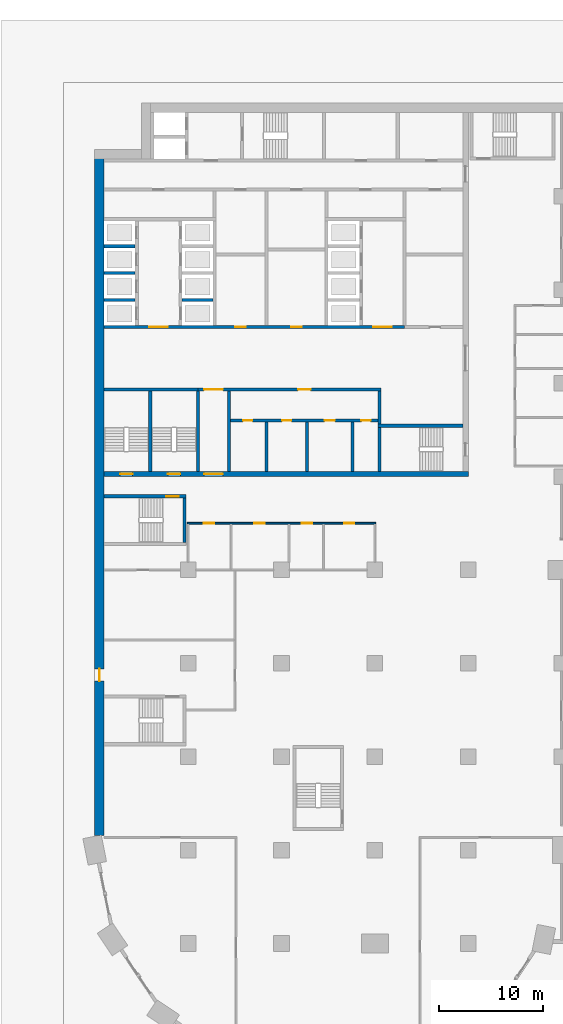
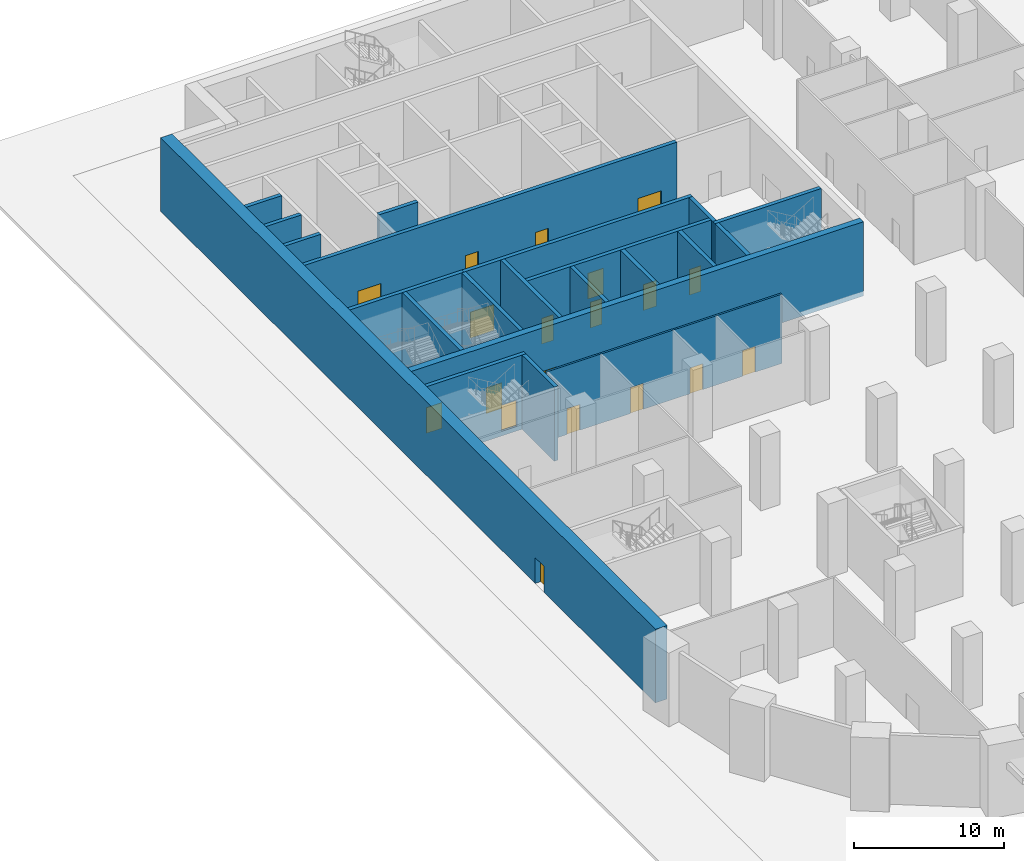
# One storey, part 18 of 47: 22 walls, 19 doors, 19 openings.
"""IFC4 building model written with IfcOpenShell, lengths in metres."""

from ifc_helpers import new_model, si_unit, direction, frame, frame_2d, origin, place, context, subcontext, project, spatial, rectangle, extrude, material, layer, layer_set, type_object, element, fill, save


model = new_model("IFC4")

# Units and contexts
model_context = context("Model", 3, precision=1e-05, world=origin(), true_north=direction((0.0, 1.0)))
body_context = subcontext(model_context, "Body", "Model", "MODEL_VIEW")
ifc_project = project(units=[si_unit("LENGTHUNIT", "METRE"), si_unit("AREAUNIT", "SQUARE_METRE"), si_unit("VOLUMEUNIT", "CUBIC_METRE"), si_unit("PLANEANGLEUNIT", "RADIAN"), si_unit("MASSUNIT", "GRAM", prefix="KILO")], contexts=[model_context])

# Site, building, storey
site_placement = place(None, origin())
site = spatial("IfcSite", under=ifc_project, at=site_placement, CompositionType="ELEMENT")
building_placement = place(site_placement, origin())
building = spatial("IfcBuilding", under=site, at=building_placement, Name="Hunhe Ridgeline Campus", CompositionType="ELEMENT")
storey_placement = place(building_placement, origin())
storey = spatial("IfcBuildingStorey", under=building, at=storey_placement, Name="L00", CompositionType="ELEMENT", Elevation=0.0)

# Wall, openings, doors
ifc_material_1 = material(Name="Plastered blockwork", Category="masonry")
ifc_layer_1 = layer(ifc_material_1, 0.14990234375)
ifc_layer_set_1 = layer_set([ifc_layer_1], Name="Blockwork partition 150")
wall_type_1 = type_object("IfcWallType", Name="Blockwork partition 150", PredefinedType="PARTITIONING", material=ifc_layer_set_1)
wall_1_placement = place(storey_placement, frame((8.925048828125, 58.5, 0.0), z_axis=(0.0, 0.0, 1.0), x_axis=(1.0, 0.0, 0.0)))
wall_1 = element("IfcWall", 1, at=wall_1_placement, inside=storey, type_object=wall_type_1, Name="L00 partition", PredefinedType="PARTITIONING", context=body_context, shape_type="SweptSolid", body=[
    extrude(rectangle(XDim=18.14990234375, YDim=0.14990234375, at=frame_2d((9.074951171875, 0.0))), origin(), (0.0, 0.0, 1.0), 5.64990234375),
])
opening_1_placement = place(wall_1_placement, frame((1.574951171875, 0.0, 0.0)))
opening_1 = element("IfcOpeningElement", 2, at=opening_1_placement, cuts=wall_1, Name="Opening PD149", PredefinedType="OPENING", context=body_context, shape_type="SweptSolid", body=[
    extrude(rectangle(XDim=1.0, YDim=2.10009765625, at=frame_2d((0.5, 1.050048828125))), frame((0.0, 0.074951171875, 0.0), z_axis=(0.0, -1.0, 0.0), x_axis=(1.0, 0.0, 0.0)), (0.0, 0.0, 1.0), 0.14990234375),
])
opening_2_placement = place(wall_1_placement, frame((6.462890625, 0.0, 0.0)))
opening_2 = element("IfcOpeningElement", 3, at=opening_2_placement, cuts=wall_1, Name="Opening PD150", PredefinedType="OPENING", context=body_context, shape_type="SweptSolid", body=[
    extrude(rectangle(XDim=1.0, YDim=2.10009765625, at=frame_2d((0.5, 1.050048828125))), frame((0.0, 0.074951171875, 0.0), z_axis=(0.0, -1.0, 0.0), x_axis=(1.0, 0.0, 0.0)), (0.0, 0.0, 1.0), 0.14990234375),
])
opening_3_placement = place(wall_1_placement, frame((11.049072265625, 0.0, 0.0)))
opening_3 = element("IfcOpeningElement", 4, at=opening_3_placement, cuts=wall_1, Name="Opening PD151", PredefinedType="OPENING", context=body_context, shape_type="SweptSolid", body=[
    extrude(rectangle(XDim=1.0, YDim=2.10009765625, at=frame_2d((0.5, 1.050048828125))), frame((0.0, 0.074951171875, 0.0), z_axis=(0.0, -1.0, 0.0), x_axis=(1.0, 0.0, 0.0)), (0.0, 0.0, 1.0), 0.14990234375),
])
opening_4_placement = place(wall_1_placement, frame((15.10888671875, 0.0, 0.0)))
opening_4 = element("IfcOpeningElement", 5, at=opening_4_placement, cuts=wall_1, Name="Opening PD152", PredefinedType="OPENING", context=body_context, shape_type="SweptSolid", body=[
    extrude(rectangle(XDim=1.0, YDim=2.10009765625, at=frame_2d((0.5, 1.050048828125))), frame((0.0, 0.074951171875, 0.0), z_axis=(0.0, -1.0, 0.0), x_axis=(1.0, 0.0, 0.0)), (0.0, 0.0, 1.0), 0.14990234375),
])
ifc_material_2 = material(Name="Timber", Category="wood")
door_type_1 = type_object("IfcDoorType", Name="Podium timber door 1000x2100", OperationType="NOTDEFINED", PredefinedType="DOOR", material=ifc_material_2)
door_1_placement = place(opening_1_placement, origin())
door_1 = element("IfcDoor", 6, at=door_1_placement, inside=storey, type_object=door_type_1, Name="Reception Office door", OperationType="SINGLE_SWING_LEFT", OverallHeight=2.10009765625, OverallWidth=1.0, PredefinedType="DOOR", context=body_context, shape_type="SweptSolid", body=[
    extrude(rectangle(XDim=1.0, YDim=2.10009765625, at=frame_2d((0.5, 1.050048828125))), frame((0.0, 0.02490234375, 0.0), z_axis=(0.0, -1.0, 0.0), x_axis=(1.0, 0.0, 0.0)), (0.0, 0.0, 1.0), 0.050048828125),
])
fill(opening_1, door_1)
door_2_placement = place(opening_2_placement, origin())
door_2 = element("IfcDoor", 7, at=door_2_placement, inside=storey, type_object=door_type_1, Name="Post and Mail Room door", OperationType="SINGLE_SWING_LEFT", OverallHeight=2.10009765625, OverallWidth=1.0, PredefinedType="DOOR", context=body_context, shape_type="SweptSolid", body=[
    extrude(rectangle(XDim=1.0, YDim=2.10009765625, at=frame_2d((0.5, 1.050048828125))), frame((0.0, 0.02490234375, 0.0), z_axis=(0.0, -1.0, 0.0), x_axis=(1.0, 0.0, 0.0)), (0.0, 0.0, 1.0), 0.050048828125),
])
fill(opening_2, door_2)
door_3_placement = place(opening_3_placement, origin())
door_3 = element("IfcDoor", 8, at=door_3_placement, inside=storey, type_object=door_type_1, Name="Information Desk Office door", OperationType="SINGLE_SWING_RIGHT", OverallHeight=2.10009765625, OverallWidth=1.0, PredefinedType="DOOR", context=body_context, shape_type="SweptSolid", body=[
    extrude(rectangle(XDim=1.0, YDim=2.10009765625, at=frame_2d((0.5, 1.050048828125))), frame((0.0, 0.02490234375, 0.0), z_axis=(0.0, -1.0, 0.0), x_axis=(1.0, 0.0, 0.0)), (0.0, 0.0, 1.0), 0.050048828125),
])
fill(opening_3, door_3)
door_4_placement = place(opening_4_placement, origin())
door_4 = element("IfcDoor", 9, at=door_4_placement, inside=storey, type_object=door_type_1, Name="Lost Property Store door", OperationType="SINGLE_SWING_RIGHT", OverallHeight=2.10009765625, OverallWidth=1.0, PredefinedType="DOOR", context=body_context, shape_type="SweptSolid", body=[
    extrude(rectangle(XDim=1.0, YDim=2.10009765625, at=frame_2d((0.5, 1.050048828125))), frame((0.0, 0.02490234375, 0.0), z_axis=(0.0, -1.0, 0.0), x_axis=(1.0, 0.0, 0.0)), (0.0, 0.0, 1.0), 0.050048828125),
])
fill(opening_4, door_4)

ifc_material_3 = material(Name="Masonry concrete blockwork", Category="masonry")
ifc_layer_2 = layer(ifc_material_3, 0.300048828125)
ifc_layer_set_2 = layer_set([ifc_layer_2], Name="Core room partition 300 concrete block")
wall_type_2 = type_object("IfcWallType", Name="Core room partition 300 concrete block", PredefinedType="PARTITIONING", material=ifc_layer_set_2)
wall_2_placement = place(storey_placement, frame((13.10009765625, 68.39990234375, 0.0), z_axis=(0.0, 0.0, 1.0), x_axis=(1.0, 0.0, 0.0)))
wall_2 = element("IfcWall", 10, at=wall_2_placement, inside=storey, type_object=wall_type_2, Name="L00 core partition 10", PredefinedType="PARTITIONING", context=body_context, shape_type="SweptSolid", body=[
    extrude(rectangle(XDim=14.199951171875, YDim=0.300048828125, at=frame_2d((7.10009765625, 0.0))), origin(), (0.0, 0.0, 1.0), 5.64990234375),
])
opening_5_placement = place(wall_2_placement, frame((1.199951171875, 0.0, 0.0)))
opening_5 = element("IfcOpeningElement", 11, at=opening_5_placement, cuts=wall_2, Name="Opening CD8", PredefinedType="OPENING", context=body_context, shape_type="SweptSolid", body=[
    extrude(rectangle(XDim=0.89990234375, YDim=2.10009765625, at=frame_2d((0.449951171875, 1.050048828125))), frame((0.0, 0.14990234375, 0.0), z_axis=(0.0, -1.0, 0.0), x_axis=(1.0, 0.0, 0.0)), (0.0, 0.0, 1.0), 0.300048828125),
])
opening_6_placement = place(wall_2_placement, frame((4.949951171875, 0.0, 0.0)))
opening_6 = element("IfcOpeningElement", 12, at=opening_6_placement, cuts=wall_2, Name="Opening CD9", PredefinedType="OPENING", context=body_context, shape_type="SweptSolid", body=[
    extrude(rectangle(XDim=0.89990234375, YDim=2.10009765625, at=frame_2d((0.449951171875, 1.050048828125))), frame((0.0, 0.14990234375, 0.0), z_axis=(0.0, -1.0, 0.0), x_axis=(1.0, 0.0, 0.0)), (0.0, 0.0, 1.0), 0.300048828125),
])
opening_7_placement = place(wall_2_placement, frame((9.050048828125, 0.0, 0.0)))
opening_7 = element("IfcOpeningElement", 13, at=opening_7_placement, cuts=wall_2, Name="Opening CD10", PredefinedType="OPENING", context=body_context, shape_type="SweptSolid", body=[
    extrude(rectangle(XDim=1.0, YDim=2.10009765625, at=frame_2d((0.5, 1.050048828125))), frame((0.0, 0.14990234375, 0.0), z_axis=(0.0, -1.0, 0.0), x_axis=(1.0, 0.0, 0.0)), (0.0, 0.0, 1.0), 0.300048828125),
])
opening_8_placement = place(wall_2_placement, frame((12.60009765625, 0.0, 0.0)))
opening_8 = element("IfcOpeningElement", 14, at=opening_8_placement, cuts=wall_2, Name="Opening CD11", PredefinedType="OPENING", context=body_context, shape_type="SweptSolid", body=[
    extrude(rectangle(XDim=0.89990234375, YDim=2.10009765625, at=frame_2d((0.449951171875, 1.050048828125))), frame((0.0, 0.14990234375, 0.0), z_axis=(0.0, -1.0, 0.0), x_axis=(1.0, 0.0, 0.0)), (0.0, 0.0, 1.0), 0.300048828125),
])
ifc_material_4 = material(Name="Solid core timber door leaf", Category="wood")
door_type_2 = type_object("IfcDoorType", Name="Timber door 1000x2100", OperationType="SINGLE_SWING_LEFT", PredefinedType="DOOR", material=ifc_material_4)
door_5_placement = place(opening_7_placement, frame((1.0, 0.0, 0.0), z_axis=(0.0, 0.0, 1.0), x_axis=(-1.0, 0.0, 0.0)))
door_5 = element("IfcDoor", 15, at=door_5_placement, inside=storey, type_object=door_type_2, Name="L00 door WC3", OperationType="SINGLE_SWING_RIGHT", OverallHeight=2.10009765625, OverallWidth=1.0, PredefinedType="DOOR", context=body_context, shape_type="SweptSolid", body=[
    extrude(rectangle(XDim=1.0, YDim=2.10009765625, at=frame_2d((0.5, 1.050048828125))), frame((0.0, 0.02490234375, 0.0), z_axis=(0.0, -1.0, 0.0), x_axis=(1.0, 0.0, 0.0)), (0.0, 0.0, 1.0), 0.050048828125),
])
fill(opening_7, door_5)
door_type_3 = type_object("IfcDoorType", Name="Timber door 900x2100", OperationType="SINGLE_SWING_LEFT", PredefinedType="DOOR", material=ifc_material_4)
door_6_placement = place(opening_5_placement, frame((0.89990234375, 0.0, 0.0), z_axis=(0.0, 0.0, 1.0), x_axis=(-1.0, 0.0, 0.0)))
door_6 = element("IfcDoor", 16, at=door_6_placement, inside=storey, type_object=door_type_3, Name="L00 door WC1", OperationType="SINGLE_SWING_RIGHT", OverallHeight=2.10009765625, OverallWidth=0.89990234375, PredefinedType="DOOR", context=body_context, shape_type="SweptSolid", body=[
    extrude(rectangle(XDim=0.89990234375, YDim=2.10009765625, at=frame_2d((0.449951171875, 1.050048828125))), frame((0.0, 0.02490234375, 0.0), z_axis=(0.0, -1.0, 0.0), x_axis=(1.0, 0.0, 0.0)), (0.0, 0.0, 1.0), 0.050048828125),
])
fill(opening_5, door_6)
door_7_placement = place(opening_6_placement, frame((0.89990234375, 0.0, 0.0), z_axis=(0.0, 0.0, 1.0), x_axis=(-1.0, 0.0, 0.0)))
door_7 = element("IfcDoor", 17, at=door_7_placement, inside=storey, type_object=door_type_3, Name="L00 door WC2", OperationType="SINGLE_SWING_LEFT", OverallHeight=2.10009765625, OverallWidth=0.89990234375, PredefinedType="DOOR", context=body_context, shape_type="SweptSolid", body=[
    extrude(rectangle(XDim=0.89990234375, YDim=2.10009765625, at=frame_2d((0.449951171875, 1.050048828125))), frame((0.0, 0.02490234375, 0.0), z_axis=(0.0, -1.0, 0.0), x_axis=(1.0, 0.0, 0.0)), (0.0, 0.0, 1.0), 0.050048828125),
])
fill(opening_6, door_7)
door_8_placement = place(opening_8_placement, frame((0.89990234375, 0.0, 0.0), z_axis=(0.0, 0.0, 1.0), x_axis=(-1.0, 0.0, 0.0)))
door_8 = element("IfcDoor", 18, at=door_8_placement, inside=storey, type_object=door_type_3, Name="L00 door WC4", OperationType="SINGLE_SWING_LEFT", OverallHeight=2.10009765625, OverallWidth=0.89990234375, PredefinedType="DOOR", context=body_context, shape_type="SweptSolid", body=[
    extrude(rectangle(XDim=0.89990234375, YDim=2.10009765625, at=frame_2d((0.449951171875, 1.050048828125))), frame((0.0, 0.02490234375, 0.0), z_axis=(0.0, -1.0, 0.0), x_axis=(1.0, 0.0, 0.0)), (0.0, 0.0, 1.0), 0.050048828125),
])
fill(opening_8, door_8)

wall_3_placement = place(storey_placement, frame((9.949951171875, 71.39990234375, 0.0), z_axis=(0.0, 0.0, 1.0), x_axis=(1.0, 0.0, 0.0)))
wall_3 = element("IfcWall", 19, at=wall_3_placement, inside=storey, type_object=wall_type_2, Name="L00 core partition 13", PredefinedType="PARTITIONING", context=body_context, shape_type="SweptSolid", body=[
    extrude(rectangle(XDim=17.650146484375, YDim=0.300048828125, at=frame_2d((8.8251953125, 0.0))), origin(), (0.0, 0.0, 1.0), 5.64990234375),
])
opening_9_placement = place(wall_3_placement, frame((0.60009765625, 0.0, 0.0)))
opening_9 = element("IfcOpeningElement", 20, at=opening_9_placement, cuts=wall_3, Name="Opening CD7", PredefinedType="OPENING", context=body_context, shape_type="SweptSolid", body=[
    extrude(rectangle(XDim=1.800048828125, YDim=2.10009765625, at=frame_2d((0.89990234375, 1.050048828125))), frame((0.0, 0.14990234375, 0.0), z_axis=(0.0, -1.0, 0.0), x_axis=(1.0, 0.0, 0.0)), (0.0, 0.0, 1.0), 0.300048828125),
])
opening_10_placement = place(wall_3_placement, frame((9.64990234375, 0.0, 0.0)))
opening_10 = element("IfcOpeningElement", 21, at=opening_10_placement, cuts=wall_3, Name="Opening CD12", PredefinedType="OPENING", context=body_context, shape_type="SweptSolid", body=[
    extrude(rectangle(XDim=1.199951171875, YDim=2.10009765625, at=frame_2d((0.60009765625, 1.050048828125))), frame((0.0, 0.14990234375, 0.0), z_axis=(0.0, -1.0, 0.0), x_axis=(1.0, 0.0, 0.0)), (0.0, 0.0, 1.0), 0.300048828125),
])
ifc_material_5 = material(Name="Anodised aluminium and glass", Category="aluminium")
door_type_4 = type_object("IfcDoorType", Name="Glazed double door 1800x2100", OperationType="DOUBLE_DOOR_SINGLE_SWING", PredefinedType="DOOR", material=ifc_material_5)
door_9_placement = place(opening_9_placement, origin())
door_9 = element("IfcDoor", 22, at=door_9_placement, inside=storey, type_object=door_type_4, Name="L00 door VEST-HALL", OperationType="DOUBLE_DOOR_SINGLE_SWING", OverallHeight=2.10009765625, OverallWidth=1.800048828125, PredefinedType="DOOR", context=body_context, shape_type="SweptSolid", body=[
    extrude(rectangle(XDim=1.800048828125, YDim=2.10009765625, at=frame_2d((0.89990234375, 1.050048828125))), frame((0.0, 0.02490234375, 0.0), z_axis=(0.0, -1.0, 0.0), x_axis=(1.0, 0.0, 0.0)), (0.0, 0.0, 1.0), 0.050048828125),
])
fill(opening_9, door_9)
door_type_5 = type_object("IfcDoorType", Name="Timber door 1200x2100", OperationType="SINGLE_SWING_LEFT", PredefinedType="DOOR", material=ifc_material_4)
door_10_placement = place(opening_10_placement, origin())
door_10 = element("IfcDoor", 23, at=door_10_placement, inside=storey, type_object=door_type_5, Name="L00 door WCL2-HALL", OperationType="SINGLE_SWING_LEFT", OverallHeight=2.10009765625, OverallWidth=1.199951171875, PredefinedType="DOOR", context=body_context, shape_type="SweptSolid", body=[
    extrude(rectangle(XDim=1.199951171875, YDim=2.10009765625, at=frame_2d((0.60009765625, 1.050048828125))), frame((0.0, 0.02490234375, 0.0), z_axis=(0.0, -1.0, 0.0), x_axis=(1.0, 0.0, 0.0)), (0.0, 0.0, 1.0), 0.050048828125),
])
fill(opening_10, door_10)

# Walls
wall_4_placement = place(storey_placement, frame((12.949951171875, 63.5, 0.0), z_axis=(0.0, 0.0, 1.0), x_axis=(0.0, 1.0, 0.0)))
element("IfcWall", 24, at=wall_4_placement, inside=storey, type_object=wall_type_2, Name="L00 core partition 47", PredefinedType="PARTITIONING", context=body_context, shape_type="SweptSolid", body=[
    extrude(rectangle(XDim=7.75, YDim=0.300048828125, at=frame_2d((3.875, 0.0))), origin(), (0.0, 0.0, 1.0), 5.64990234375),
])
for number, where, z_axis, x_axis, name in (
    (25, (16.550048828125, 63.5, 0.0), (0.0, 0.0, 1.0), (0.0, 1.0, 0.0), "L00 core partition 49"),
    (26, (20.449951171875, 63.5, 0.0), (0.0, 0.0, 1.0), (0.0, 1.0, 0.0), "L00 core partition 52"),
    (27, (24.85009765625, 63.5, 0.0), (0.0, 0.0, 1.0), (0.0, 1.0, 0.0), "L00 core partition 57"),
):
    element("IfcWall", number, at=place(storey_placement, frame(where, z_axis=z_axis, x_axis=x_axis)), inside=storey, type_object=wall_type_2, Name=name, PredefinedType="PARTITIONING", context=body_context, shape_type="SweptSolid", body=[
        extrude(rectangle(XDim=4.75, YDim=0.300048828125, at=frame_2d((2.375, 0.0))), origin(), (0.0, 0.0, 1.0), 5.64990234375),
    ])
wall_5_placement = place(storey_placement, frame((27.449951171875, 68.050048828125, 0.0), z_axis=(0.0, 0.0, 1.0), x_axis=(0.0, 1.0, 0.0)))
element("IfcWall", 28, at=wall_5_placement, inside=storey, type_object=wall_type_2, Name="L00 core partition 60", PredefinedType="PARTITIONING", context=body_context, shape_type="SweptSolid", body=[
    extrude(rectangle(XDim=3.199951171875, YDim=0.300048828125, at=frame_2d((1.60009765625, 0.0))), origin(), (0.0, 0.0, 1.0), 5.64990234375),
])

# Wall, openings, doors
ifc_material_6 = material(Name="Concrete C80", Category="concrete")
ifc_layer_3 = layer(ifc_material_6, 0.5)
ifc_layer_set_3 = layer_set([ifc_layer_3], Name="Core wall 500 reinforced concrete C80")
wall_type_3 = type_object("IfcWallType", Name="Core wall 500 reinforced concrete C80", PredefinedType="SOLIDWALL", material=ifc_layer_set_3)
wall_6_placement = place(storey_placement, frame((0.89990234375, 63.25, -0.39990234375), z_axis=(0.0, 0.0, 1.0), x_axis=(1.0, 0.0, 0.0)))
wall_6 = element("IfcWall", 29, at=wall_6_placement, inside=storey, type_object=wall_type_3, Name="L00 core wall 7", PredefinedType="SOLIDWALL", context=body_context, shape_type="SweptSolid", body=[
    extrude(rectangle(XDim=35.10009765625, YDim=0.5, at=frame_2d((17.550048828125, 0.0))), origin(), (0.0, 0.0, 1.0), 6.0498046875),
])
opening_11_placement = place(wall_6_placement, frame((9.64990234375, 0.0, 0.39990234375)))
opening_11 = element("IfcOpeningElement", 30, at=opening_11_placement, cuts=wall_6, Name="Opening CD6", PredefinedType="OPENING", context=body_context, shape_type="SweptSolid", body=[
    extrude(rectangle(XDim=1.800048828125, YDim=2.10009765625, at=frame_2d((0.89990234375, 1.050048828125))), frame((0.0, 0.25, 0.0), z_axis=(0.0, -1.0, 0.0), x_axis=(1.0, 0.0, 0.0)), (0.0, 0.0, 1.0), 0.5),
])
opening_12_placement = place(wall_6_placement, frame((1.550048828125, 0.0, 0.39990234375)))
opening_12 = element("IfcOpeningElement", 31, at=opening_12_placement, cuts=wall_6, Name="Opening CD13", PredefinedType="OPENING", context=body_context, shape_type="SweptSolid", body=[
    extrude(rectangle(XDim=1.199951171875, YDim=2.10009765625, at=frame_2d((0.60009765625, 1.050048828125))), frame((0.0, 0.25, 0.0), z_axis=(0.0, -1.0, 0.0), x_axis=(1.0, 0.0, 0.0)), (0.0, 0.0, 1.0), 0.5),
])
opening_13_placement = place(wall_6_placement, frame((6.14990234375, 0.0, 0.39990234375)))
opening_13 = element("IfcOpeningElement", 32, at=opening_13_placement, cuts=wall_6, Name="Opening CD14", PredefinedType="OPENING", context=body_context, shape_type="SweptSolid", body=[
    extrude(rectangle(XDim=1.199951171875, YDim=2.10009765625, at=frame_2d((0.60009765625, 1.050048828125))), frame((0.0, 0.25, 0.0), z_axis=(0.0, -1.0, 0.0), x_axis=(1.0, 0.0, 0.0)), (0.0, 0.0, 1.0), 0.5),
])
door_11_placement = place(opening_11_placement, frame((1.800048828125, 0.0, 0.0), z_axis=(0.0, 0.0, 1.0), x_axis=(-1.0, 0.0, 0.0)))
door_11 = element("IfcDoor", 33, at=door_11_placement, inside=storey, type_object=door_type_4, Name="L00 door VEST-FLOOR", OperationType="DOUBLE_DOOR_SINGLE_SWING", OverallHeight=2.10009765625, OverallWidth=1.800048828125, PredefinedType="DOOR", context=body_context, shape_type="SweptSolid", body=[
    extrude(rectangle(XDim=1.800048828125, YDim=2.10009765625, at=frame_2d((0.89990234375, 1.050048828125))), frame((0.0, 0.02490234375, 0.0), z_axis=(0.0, -1.0, 0.0), x_axis=(1.0, 0.0, 0.0)), (0.0, 0.0, 1.0), 0.050048828125),
])
fill(opening_11, door_11)
ifc_material_7 = material(Name="Hollow metal fire door leaf")
door_type_6 = type_object("IfcDoorType", Name="Stair door 1200x2100 FD60", OperationType="SINGLE_SWING_LEFT", PredefinedType="DOOR", material=ifc_material_7)
door_12_placement = place(opening_12_placement, frame((1.199951171875, 0.0, 0.0), z_axis=(0.0, 0.0, 1.0), x_axis=(-1.0, 0.0, 0.0)))
door_12 = element("IfcDoor", 34, at=door_12_placement, inside=storey, type_object=door_type_6, Name="L00 door S3", OperationType="SINGLE_SWING_RIGHT", OverallHeight=2.10009765625, OverallWidth=1.199951171875, PredefinedType="DOOR", context=body_context, shape_type="SweptSolid", body=[
    extrude(rectangle(XDim=1.199951171875, YDim=2.10009765625, at=frame_2d((0.60009765625, 1.050048828125))), frame((0.0, 0.02490234375, 0.0), z_axis=(0.0, -1.0, 0.0), x_axis=(1.0, 0.0, 0.0)), (0.0, 0.0, 1.0), 0.050048828125),
])
fill(opening_12, door_12)
door_13_placement = place(opening_13_placement, frame((1.199951171875, 0.0, 0.0), z_axis=(0.0, 0.0, 1.0), x_axis=(-1.0, 0.0, 0.0)))
door_13 = element("IfcDoor", 35, at=door_13_placement, inside=storey, type_object=door_type_6, Name="L00 door S4", OperationType="SINGLE_SWING_LEFT", OverallHeight=2.10009765625, OverallWidth=1.199951171875, PredefinedType="DOOR", context=body_context, shape_type="SweptSolid", body=[
    extrude(rectangle(XDim=1.199951171875, YDim=2.10009765625, at=frame_2d((0.60009765625, 1.050048828125))), frame((0.0, 0.02490234375, 0.0), z_axis=(0.0, -1.0, 0.0), x_axis=(1.0, 0.0, 0.0)), (0.0, 0.0, 1.0), 0.050048828125),
])
fill(opening_13, door_13)

ifc_layer_4 = layer(ifc_material_6, 0.300048828125)
ifc_layer_set_4 = layer_set([ifc_layer_4], Name="Shaft wall 300 reinforced concrete C80")
wall_type_4 = type_object("IfcWallType", Name="Shaft wall 300 reinforced concrete C80", PredefinedType="SOLIDWALL", material=ifc_layer_set_4)
wall_7_placement = place(storey_placement, frame((0.89990234375, 77.39990234375, -0.39990234375), z_axis=(0.0, 0.0, 1.0), x_axis=(1.0, 0.0, 0.0)))
wall_7 = element("IfcWall", 36, at=wall_7_placement, inside=storey, type_object=wall_type_4, Name="L00 core wall 14", PredefinedType="SOLIDWALL", context=body_context, shape_type="SweptSolid", body=[
    extrude(rectangle(XDim=28.9501953125, YDim=0.300048828125, at=frame_2d((14.47509765625, 0.0))), origin(), (0.0, 0.0, 1.0), 6.0498046875),
])
opening_14_placement = place(wall_7_placement, frame((4.35009765625, 0.0, 0.39990234375)))
opening_14 = element("IfcOpeningElement", 37, at=opening_14_placement, cuts=wall_7, Name="Opening CD1", PredefinedType="OPENING", context=body_context, shape_type="SweptSolid", body=[
    extrude(rectangle(XDim=1.800048828125, YDim=2.10009765625, at=frame_2d((0.89990234375, 1.050048828125))), frame((0.0, 0.14990234375, 0.0), z_axis=(0.0, -1.0, 0.0), x_axis=(1.0, 0.0, 0.0)), (0.0, 0.0, 1.0), 0.300048828125),
])
opening_15_placement = place(wall_7_placement, frame((25.949951171875, 0.0, 0.39990234375)))
opening_15 = element("IfcOpeningElement", 38, at=opening_15_placement, cuts=wall_7, Name="Opening CD2", PredefinedType="OPENING", context=body_context, shape_type="SweptSolid", body=[
    extrude(rectangle(XDim=1.800048828125, YDim=2.10009765625, at=frame_2d((0.89990234375, 1.050048828125))), frame((0.0, 0.14990234375, 0.0), z_axis=(0.0, -1.0, 0.0), x_axis=(1.0, 0.0, 0.0)), (0.0, 0.0, 1.0), 0.300048828125),
])
opening_16_placement = place(wall_7_placement, frame((12.64990234375, 0.0, 0.39990234375)))
opening_16 = element("IfcOpeningElement", 39, at=opening_16_placement, cuts=wall_7, Name="Opening CD28", PredefinedType="OPENING", context=body_context, shape_type="SweptSolid", body=[
    extrude(rectangle(XDim=1.0, YDim=2.10009765625, at=frame_2d((0.5, 1.050048828125))), frame((0.0, 0.14990234375, 0.0), z_axis=(0.0, -1.0, 0.0), x_axis=(1.0, 0.0, 0.0)), (0.0, 0.0, 1.0), 0.300048828125),
])
opening_17_placement = place(wall_7_placement, frame((18.050048828125, 0.0, 0.39990234375)))
opening_17 = element("IfcOpeningElement", 40, at=opening_17_placement, cuts=wall_7, Name="Opening CD30", PredefinedType="OPENING", context=body_context, shape_type="SweptSolid", body=[
    extrude(rectangle(XDim=1.0, YDim=2.10009765625, at=frame_2d((0.5, 1.050048828125))), frame((0.0, 0.14990234375, 0.0), z_axis=(0.0, -1.0, 0.0), x_axis=(1.0, 0.0, 0.0)), (0.0, 0.0, 1.0), 0.300048828125),
])
door_type_7 = type_object("IfcDoorType", Name="Lobby door 1800x2100 FD60", OperationType="SINGLE_SWING_LEFT", PredefinedType="DOOR", material=ifc_material_7)
door_14_placement = place(opening_14_placement, frame((1.800048828125, 0.0, 0.0), z_axis=(0.0, 0.0, 1.0), x_axis=(-1.0, 0.0, 0.0)))
door_14 = element("IfcDoor", 41, at=door_14_placement, inside=storey, type_object=door_type_7, Name="L00 door LOB-LR", OperationType="SINGLE_SWING_RIGHT", OverallHeight=2.10009765625, OverallWidth=1.800048828125, PredefinedType="DOOR", context=body_context, shape_type="SweptSolid", body=[
    extrude(rectangle(XDim=1.800048828125, YDim=2.10009765625, at=frame_2d((0.89990234375, 1.050048828125))), frame((0.0, 0.02490234375, 0.0), z_axis=(0.0, -1.0, 0.0), x_axis=(1.0, 0.0, 0.0)), (0.0, 0.0, 1.0), 0.050048828125),
])
fill(opening_14, door_14)
door_15_placement = place(opening_15_placement, frame((1.800048828125, 0.0, 0.0), z_axis=(0.0, 0.0, 1.0), x_axis=(-1.0, 0.0, 0.0)))
door_15 = element("IfcDoor", 42, at=door_15_placement, inside=storey, type_object=door_type_7, Name="L00 door LOB-SH", OperationType="SINGLE_SWING_LEFT", OverallHeight=2.10009765625, OverallWidth=1.800048828125, PredefinedType="DOOR", context=body_context, shape_type="SweptSolid", body=[
    extrude(rectangle(XDim=1.800048828125, YDim=2.10009765625, at=frame_2d((0.89990234375, 1.050048828125))), frame((0.0, 0.02490234375, 0.0), z_axis=(0.0, -1.0, 0.0), x_axis=(1.0, 0.0, 0.0)), (0.0, 0.0, 1.0), 0.050048828125),
])
fill(opening_15, door_15)
door_16_placement = place(opening_16_placement, origin())
door_16 = element("IfcDoor", 43, at=door_16_placement, inside=storey, type_object=door_type_2, Name="L00 door VD-HR0", OperationType="SINGLE_SWING_LEFT", OverallHeight=2.10009765625, OverallWidth=1.0, PredefinedType="DOOR", context=body_context, shape_type="SweptSolid", body=[
    extrude(rectangle(XDim=1.0, YDim=2.10009765625, at=frame_2d((0.5, 1.050048828125))), frame((0.0, 0.02490234375, 0.0), z_axis=(0.0, -1.0, 0.0), x_axis=(1.0, 0.0, 0.0)), (0.0, 0.0, 1.0), 0.050048828125),
])
fill(opening_16, door_16)
door_17_placement = place(opening_17_placement, origin())
door_17 = element("IfcDoor", 44, at=door_17_placement, inside=storey, type_object=door_type_2, Name="L00 door VD-HR2", OperationType="SINGLE_SWING_LEFT", OverallHeight=2.10009765625, OverallWidth=1.0, PredefinedType="DOOR", context=body_context, shape_type="SweptSolid", body=[
    extrude(rectangle(XDim=1.0, YDim=2.10009765625, at=frame_2d((0.5, 1.050048828125))), frame((0.0, 0.02490234375, 0.0), z_axis=(0.0, -1.0, 0.0), x_axis=(1.0, 0.0, 0.0)), (0.0, 0.0, 1.0), 0.050048828125),
])
fill(opening_17, door_17)

# Walls
for number, where, z_axis, x_axis, name in (
    (45, (0.89990234375, 80.0, -0.39990234375), (0.0, 0.0, 1.0), (1.0, 0.0, 0.0), "L00 core wall 16"),
    (46, (8.39990234375, 80.0, -0.39990234375), (0.0, 0.0, 1.0), (1.0, 0.0, 0.0), "L00 core wall 17"),
    (47, (0.89990234375, 82.60009765625, -0.39990234375), (0.0, 0.0, 1.0), (1.0, 0.0, 0.0), "L00 core wall 19"),
    (48, (0.89990234375, 85.199951171875, -0.39990234375), (0.0, 0.0, 1.0), (1.0, 0.0, 0.0), "L00 core wall 25"),
):
    element("IfcWall", number, at=place(storey_placement, frame(where, z_axis=z_axis, x_axis=x_axis)), inside=storey, type_object=wall_type_4, Name=name, PredefinedType="SOLIDWALL", context=body_context, shape_type="SweptSolid", body=[
        extrude(rectangle(XDim=3.0, YDim=0.300048828125, at=frame_2d((1.5, 0.0))), origin(), (0.0, 0.0, 1.0), 6.0498046875),
    ])

# Wall, opening, door
ifc_layer_5 = layer(ifc_material_6, 0.89990234375)
ifc_layer_set_5 = layer_set([ifc_layer_5], Name="Spine wall 900 Concrete C80")
wall_type_5 = type_object("IfcWallType", Name="Spine wall 900 Concrete C80", PredefinedType="SHEAR", material=ifc_layer_set_5)
wall_8_placement = place(storey_placement, frame((0.449951171875, 94.5, 0.0), z_axis=(0.0, 0.0, 1.0), x_axis=(0.0, -1.0, 0.0)))
wall_8 = element("IfcWall", 49, at=wall_8_placement, inside=storey, type_object=wall_type_5, Name="Spine wall SW1-1 L00", PredefinedType="SHEAR", context=body_context, shape_type="SweptSolid", body=[
    extrude(rectangle(XDim=66.0849609375, YDim=0.89990234375, at=frame_2d((33.04248046875, 0.0))), origin(), (0.0, 0.0, 1.0), 6.0),
])
opening_18_placement = place(wall_8_placement, frame((50.02490234375, 0.0, 0.0)))
opening_18 = element("IfcOpeningElement", 50, at=opening_18_placement, cuts=wall_8, Name="Opening FC1", PredefinedType="OPENING", context=body_context, shape_type="SweptSolid", body=[
    extrude(rectangle(XDim=1.199951171875, YDim=2.10009765625, at=frame_2d((0.60009765625, 1.050048828125))), frame((0.0, 0.449951171875, 0.0), z_axis=(0.0, -1.0, 0.0), x_axis=(1.0, 0.0, 0.0)), (0.0, 0.0, 1.0), 0.89990234375),
])
ifc_material_8 = material(Name="Steel Q235", Category="steel")
door_type_8 = type_object("IfcDoorType", Name="Podium fire door 1200x2100 FD60", OperationType="NOTDEFINED", PredefinedType="DOOR", material=ifc_material_8)
door_18_placement = place(opening_18_placement, frame((1.199951171875, 0.0, 0.0), z_axis=(0.0, 0.0, 1.0), x_axis=(-1.0, 0.0, 0.0)))
door_18 = element("IfcDoor", 51, at=door_18_placement, inside=storey, type_object=door_type_8, Name="Fire command centre exit door", OperationType="SINGLE_SWING_RIGHT", OverallHeight=2.10009765625, OverallWidth=1.199951171875, PredefinedType="DOOR", context=body_context, shape_type="SweptSolid", body=[
    extrude(rectangle(XDim=1.199951171875, YDim=2.10009765625, at=frame_2d((0.60009765625, 1.050048828125))), frame((0.0, 0.02490234375, 0.0), z_axis=(0.0, -1.0, 0.0), x_axis=(1.0, 0.0, 0.0)), (0.0, 0.0, 1.0), 0.050048828125),
])
fill(opening_18, door_18)

ifc_layer_6 = layer(ifc_material_6, 0.300048828125)
ifc_layer_set_6 = layer_set([ifc_layer_6], Name="Stair wall 300 reinforced concrete C80")
wall_type_6 = type_object("IfcWallType", Name="Stair wall 300 reinforced concrete C80", PredefinedType="SOLIDWALL", material=ifc_layer_set_6)
wall_9_placement = place(storey_placement, frame((0.89990234375, 61.10009765625, -0.39990234375), z_axis=(0.0, 0.0, 1.0), x_axis=(1.0, 0.0, 0.0)))
wall_9 = element("IfcWall", 52, at=wall_9_placement, inside=storey, type_object=wall_type_6, Name="L00 core wall 6", PredefinedType="SOLIDWALL", context=body_context, shape_type="SweptSolid", body=[
    extrude(rectangle(XDim=7.900146484375, YDim=0.300048828125, at=frame_2d((3.9501953125, 0.0))), origin(), (0.0, 0.0, 1.0), 6.0498046875),
])
opening_19_placement = place(wall_9_placement, frame((6.0, 0.0, 0.39990234375)))
opening_19 = element("IfcOpeningElement", 53, at=opening_19_placement, cuts=wall_9, Name="Opening CD22", PredefinedType="OPENING", context=body_context, shape_type="SweptSolid", body=[
    extrude(rectangle(XDim=1.199951171875, YDim=2.10009765625, at=frame_2d((0.60009765625, 1.050048828125))), frame((0.0, 0.14990234375, 0.0), z_axis=(0.0, -1.0, 0.0), x_axis=(1.0, 0.0, 0.0)), (0.0, 0.0, 1.0), 0.300048828125),
])
door_19_placement = place(opening_19_placement, origin())
door_19 = element("IfcDoor", 54, at=door_19_placement, inside=storey, type_object=door_type_6, Name="L00 door W2", OperationType="SINGLE_SWING_RIGHT", OverallHeight=2.10009765625, OverallWidth=1.199951171875, PredefinedType="DOOR", context=body_context, shape_type="SweptSolid", body=[
    extrude(rectangle(XDim=1.199951171875, YDim=2.10009765625, at=frame_2d((0.60009765625, 1.050048828125))), frame((0.0, 0.02490234375, 0.0), z_axis=(0.0, -1.0, 0.0), x_axis=(1.0, 0.0, 0.0)), (0.0, 0.0, 1.0), 0.050048828125),
])
fill(opening_19, door_19)

# Walls
wall_10_placement = place(storey_placement, frame((27.300048828125, 67.89990234375, -0.39990234375), z_axis=(0.0, 0.0, 1.0), x_axis=(1.0, 0.0, 0.0)))
element("IfcWall", 55, at=wall_10_placement, inside=storey, type_object=wall_type_6, Name="L00 core wall 9", PredefinedType="SOLIDWALL", context=body_context, shape_type="SweptSolid", body=[
    extrude(rectangle(XDim=8.199951171875, YDim=0.300048828125, at=frame_2d((4.10009765625, 0.0))), origin(), (0.0, 0.0, 1.0), 6.0498046875),
])
wall_11_placement = place(storey_placement, frame((0.89990234375, 71.39990234375, -0.39990234375), z_axis=(0.0, 0.0, 1.0), x_axis=(1.0, 0.0, 0.0)))
element("IfcWall", 56, at=wall_11_placement, inside=storey, type_object=wall_type_6, Name="L00 core wall 12", PredefinedType="SOLIDWALL", context=body_context, shape_type="SweptSolid", body=[
    extrude(rectangle(XDim=9.050048828125, YDim=0.300048828125, at=frame_2d((4.52490234375, 0.0))), origin(), (0.0, 0.0, 1.0), 6.0498046875),
])
wall_12_placement = place(storey_placement, frame((5.35009765625, 63.5, -0.39990234375), z_axis=(0.0, 0.0, 1.0), x_axis=(0.0, 1.0, 0.0)))
element("IfcWall", 57, at=wall_12_placement, inside=storey, type_object=wall_type_6, Name="L00 core wall 38", PredefinedType="SOLIDWALL", context=body_context, shape_type="SweptSolid", body=[
    extrude(rectangle(XDim=7.75, YDim=0.300048828125, at=frame_2d((3.875, 0.0))), origin(), (0.0, 0.0, 1.0), 6.0498046875),
])
wall_13_placement = place(storey_placement, frame((8.64990234375, 56.64990234375, -0.39990234375), z_axis=(0.0, 0.0, 1.0), x_axis=(0.0, 1.0, 0.0)))
element("IfcWall", 58, at=wall_13_placement, inside=storey, type_object=wall_type_6, Name="L00 core wall 42", PredefinedType="SOLIDWALL", context=body_context, shape_type="SweptSolid", body=[
    extrude(rectangle(XDim=4.300048828125, YDim=0.300048828125, at=frame_2d((2.14990234375, 0.0))), origin(), (0.0, 0.0, 1.0), 6.0498046875),
])
wall_14_placement = place(storey_placement, frame((9.949951171875, 63.5, -0.39990234375), z_axis=(0.0, 0.0, 1.0), x_axis=(0.0, 1.0, 0.0)))
element("IfcWall", 59, at=wall_14_placement, inside=storey, type_object=wall_type_6, Name="L00 core wall 44", PredefinedType="SOLIDWALL", context=body_context, shape_type="SweptSolid", body=[
    extrude(rectangle(XDim=7.75, YDim=0.300048828125, at=frame_2d((3.875, 0.0))), origin(), (0.0, 0.0, 1.0), 6.0498046875),
])
wall_15_placement = place(storey_placement, frame((27.449951171875, 63.5, -0.39990234375), z_axis=(0.0, 0.0, 1.0), x_axis=(0.0, 1.0, 0.0)))
element("IfcWall", 60, at=wall_15_placement, inside=storey, type_object=wall_type_6, Name="L00 core wall 59", PredefinedType="SOLIDWALL", context=body_context, shape_type="SweptSolid", body=[
    extrude(rectangle(XDim=4.25, YDim=0.300048828125, at=frame_2d((2.125, 0.0))), origin(), (0.0, 0.0, 1.0), 6.0498046875),
])

save(model, "model.ifc")
